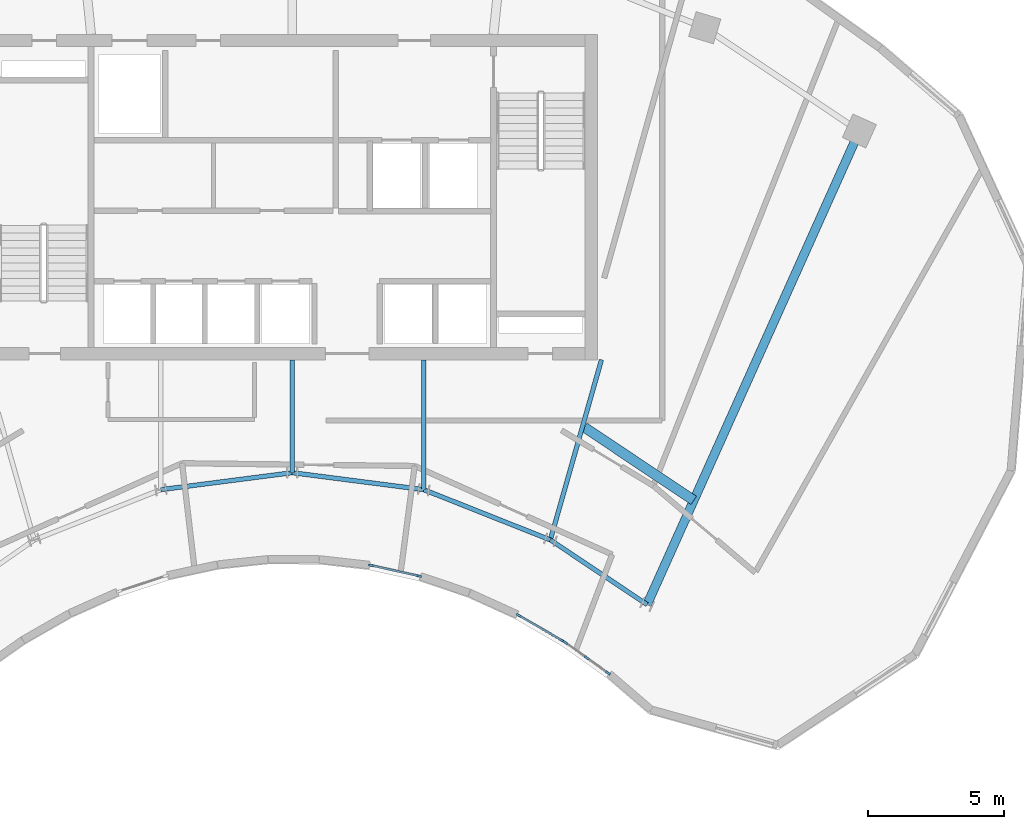
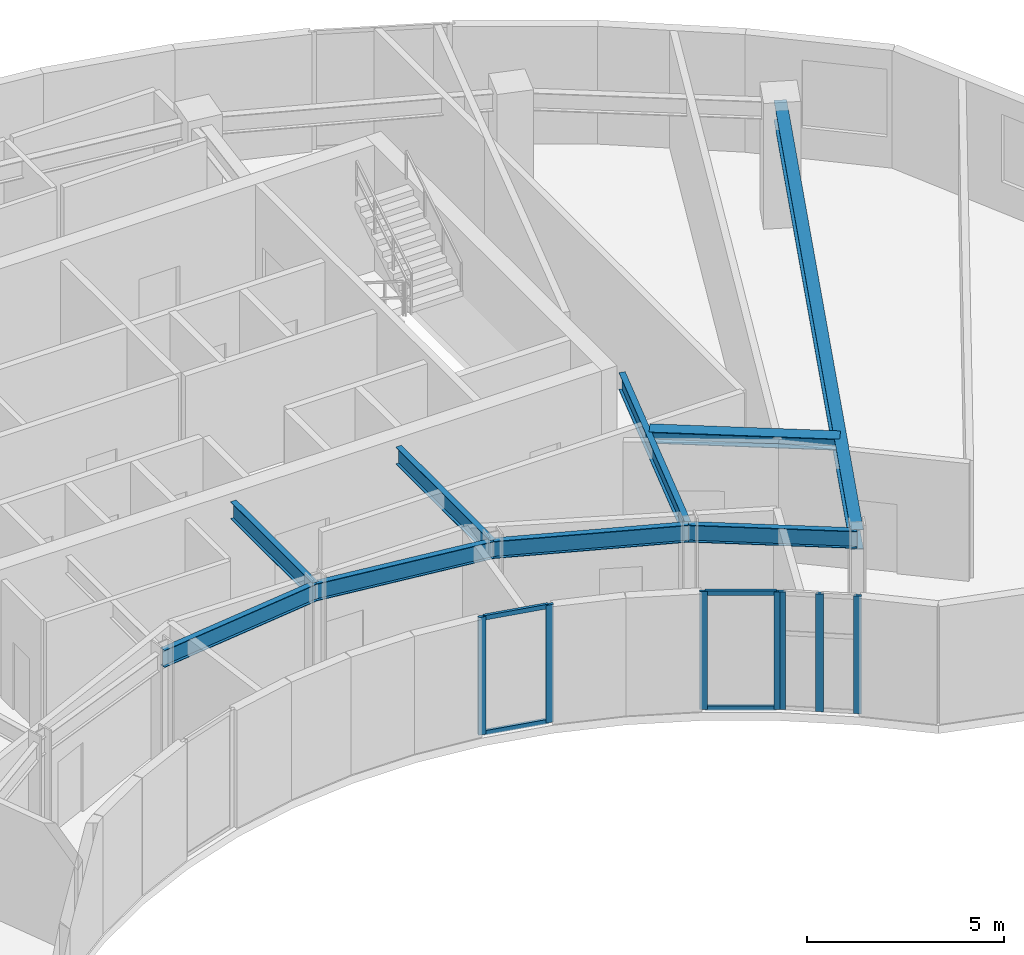
# One storey, part 3 of 12: 11 members, 9 beams, 3 elements without a shape of their own.
"""IFC4 building model written with IfcOpenShell, lengths in metres."""

from ifc_helpers import new_model, si_unit, direction, frame, origin, origin_2d, place, context, subcontext, project, spatial, rectangle, i_section, extrude, source, transform, mapped, material, layer, layer_set, material_profile, profile_set, type_object, type_shapes, element, aggregate, save


model = new_model("IFC4")

# Units and contexts
model_context = context("Model", 3, precision=1e-05, world=origin(), true_north=direction((0.0, 1.0)))
body_context = subcontext(model_context, "Body", "Model", "MODEL_VIEW")
ifc_project = project(units=[si_unit("LENGTHUNIT", "METRE"), si_unit("AREAUNIT", "SQUARE_METRE"), si_unit("VOLUMEUNIT", "CUBIC_METRE"), si_unit("PLANEANGLEUNIT", "RADIAN"), si_unit("MASSUNIT", "GRAM", prefix="KILO")], contexts=[model_context])

# Site, building, storey
site_placement = place(None, origin())
site = spatial("IfcSite", under=ifc_project, at=site_placement, CompositionType="ELEMENT")
building_placement = place(site_placement, origin())
building = spatial("IfcBuilding", under=site, at=building_placement, Name="Breltana Convention Tower", CompositionType="ELEMENT")
storey_placement = place(building_placement, frame((0.0, 0.0, 246.89990234375)))
storey = spatial("IfcBuildingStorey", under=building, at=storey_placement, Name="L60", CompositionType="ELEMENT", Elevation=246.89990234375)

# Beams
ifc_material_1 = material(Name="Steel ASTM A992 Grade 50", Category="steel")
ifc_material_profile_1 = material_profile(ifc_material_1, i_section(OverallWidth=0.166015625, OverallDepth=0.534912109375, WebThickness=0.01025390625, FlangeThickness=0.0166015625, at=origin_2d()), Name="W21X57")
ifc_profile_set_1 = profile_set([ifc_material_profile_1], Name="Steel ASTM A992 Grade 50")
beam_type_1 = type_object("IfcBeamType", Name="BM-BM-W21X57", PredefinedType="BEAM", material=ifc_profile_set_1)
shared_shape_1 = source(origin(), body_context, "Body", "SweptSolid", [
    extrude(i_section(OverallWidth=0.166015625, OverallDepth=0.534912109375, WebThickness=0.01025390625, FlangeThickness=0.0166015625, at=origin_2d()), origin(), (0.0, 0.0, 1.0), 6.904541015625),
])
type_shapes(beam_type_1, [shared_shape_1])
beam_1_placement = place(storey_placement, frame((59.39990234375, 60.199951171875, 3.382568359375), z_axis=(-0.273006781054, -0.962012108811, 0.0), x_axis=(0.962012108811, -0.273006781054, 0.0)))
element("IfcBeam", 1, at=beam_1_placement, inside=storey, type_object=beam_type_1, Name="L60 South Core Tie Girder R08", PredefinedType="BEAM", context=body_context, shape_type="MappedRepresentation", body=[
    mapped(shared_shape_1, transform((0.0, 0.0, 0.0), scale=1.0)),
])
shared_shape_2 = source(origin(), body_context, "Body", "SweptSolid", [
    extrude(i_section(OverallWidth=0.166015625, OverallDepth=0.534912109375, WebThickness=0.01025390625, FlangeThickness=0.0166015625, at=origin_2d()), origin(), (0.0, 0.0, 1.0), 4.789306640625),
])
beam_2_placement = place(storey_placement, frame((52.846435546875, 60.199951171875, 3.382568359375), z_axis=(0.0, -1.0, 0.0), x_axis=(1.0, 0.0, 0.0)))
element("IfcBeam", 2, at=beam_2_placement, inside=storey, type_object=beam_type_1, Name="L60 South Core Tie Girder R07", PredefinedType="BEAM", context=body_context, shape_type="MappedRepresentation", body=[
    mapped(shared_shape_2, transform((0.0, 0.0, 0.0), scale=1.0)),
])
shared_shape_3 = source(origin(), body_context, "Body", "SweptSolid", [
    extrude(i_section(OverallWidth=0.166015625, OverallDepth=0.534912109375, WebThickness=0.01025390625, FlangeThickness=0.0166015625, at=origin_2d()), origin(), (0.0, 0.0, 1.0), 4.1640625),
])
beam_3_placement = place(storey_placement, frame((48.0, 60.199951171875, 3.382568359375), z_axis=(0.0, -1.0, 0.0), x_axis=(1.0, 0.0, 0.0)))
element("IfcBeam", 3, at=beam_3_placement, inside=storey, type_object=beam_type_1, Name="L60 South Core Tie Girder R06", PredefinedType="BEAM", context=body_context, shape_type="MappedRepresentation", body=[
    mapped(shared_shape_3, transform((0.0, 0.0, 0.0), scale=1.0)),
])
shared_shape_4 = source(origin(), body_context, "Body", "SweptSolid", [
    extrude(i_section(OverallWidth=0.166015625, OverallDepth=0.534912109375, WebThickness=0.01025390625, FlangeThickness=0.0166015625, at=origin_2d()), origin(), (0.0, 0.0, 1.0), 5.022705078125),
])
beam_4_placement = place(storey_placement, frame((52.846435546875, 55.41064453125, 3.382568359375), z_axis=(0.929458966248, -0.368925507469, 0.0), x_axis=(0.368925507469, 0.929458966248, 0.0)))
element("IfcBeam", 4, at=beam_4_placement, inside=storey, type_object=beam_type_1, Name="L60 Inner Ring Beam 07", PredefinedType="BEAM", context=body_context, shape_type="MappedRepresentation", body=[
    mapped(shared_shape_4, transform((0.0, 0.0, 0.0), scale=1.0)),
])
shared_shape_5 = source(origin(), body_context, "Body", "SweptSolid", [
    extrude(i_section(OverallWidth=0.166015625, OverallDepth=0.534912109375, WebThickness=0.01025390625, FlangeThickness=0.0166015625, at=origin_2d()), origin(), (0.0, 0.0, 1.0), 4.88671875),
])
for number, where, z_axis, x_axis, name in (
    (5, (43.153564453125, 55.41064453125, 3.382568359375), (0.991780525565, 0.127950729231, 0.0), (-0.127950729231, 0.991780525565, 0.0), "L60 Inner Ring Beam 05"),
    (6, (48.0, 56.035888671875, 3.382568359375), (0.991780525565, -0.127950729231, 0.0), (0.127950729231, 0.991780525565, 0.0), "L60 Inner Ring Beam 06"),
):
    element("IfcBeam", number, at=place(storey_placement, frame(where, z_axis=z_axis, x_axis=x_axis)), inside=storey, type_object=beam_type_1, Name=name, PredefinedType="BEAM", context=body_context, shape_type="MappedRepresentation", body=[
        mapped(shared_shape_5, transform((0.0, 0.0, 0.0), scale=1.0)),
    ])
shared_shape_6 = source(origin(), body_context, "Body", "SweptSolid", [
    extrude(i_section(OverallWidth=0.166015625, OverallDepth=0.534912109375, WebThickness=0.01025390625, FlangeThickness=0.0166015625, at=origin_2d()), origin(), (0.0, 0.0, 1.0), 4.2900390625),
])
beam_5_placement = place(storey_placement, frame((57.514892578125, 53.5576171875, 3.382568359375), z_axis=(0.831515827753, -0.555501060482, 0.0), x_axis=(0.555501060482, 0.831515827753, 0.0)))
element("IfcBeam", 7, at=beam_5_placement, inside=storey, type_object=beam_type_1, Name="L60 Inner Ring Beam 08", PredefinedType="BEAM", context=body_context, shape_type="MappedRepresentation", body=[
    mapped(shared_shape_6, transform((0.0, 0.0, 0.0), scale=1.0)),
])
ifc_material_profile_2 = material_profile(ifc_material_1, i_section(OverallWidth=0.368896484375, OverallDepth=0.35595703125, WebThickness=0.01123046875, FlangeThickness=0.01806640625, at=origin_2d()), Name="W14X90")
ifc_profile_set_2 = profile_set([ifc_material_profile_2], Name="Steel ASTM A992 Grade 50")
beam_type_2 = type_object("IfcBeamType", Name="BM-JSG-09", PredefinedType="JOIST", material=ifc_profile_set_2)
shared_shape_7 = source(origin(), body_context, "Body", "SweptSolid", [
    extrude(i_section(OverallWidth=0.368896484375, OverallDepth=0.35595703125, WebThickness=0.01123046875, FlangeThickness=0.01806640625, at=origin_2d()), origin(), (0.0, 0.0, 1.0), 4.854736328125),
])
beam_6_placement = place(storey_placement, frame((58.767578125, 57.71240234375, 3.47216796875), z_axis=(0.831485074305, -0.555547091801, 0.0), x_axis=(0.555547091801, 0.831485074305, 0.0)))
element("IfcBeam", 8, at=beam_6_placement, inside=storey, type_object=beam_type_2, Name="L60 Composite Floor Joist 08.1", PredefinedType="JOIST", context=body_context, shape_type="MappedRepresentation", body=[
    mapped(shared_shape_7, transform((0.0, 0.0, 0.0), scale=1.0)),
])
ifc_material_profile_3 = material_profile(ifc_material_1, i_section(OverallWidth=0.326904296875, OverallDepth=0.6220703125, WebThickness=0.015380859375, FlangeThickness=0.0244140625, at=origin_2d()), Name="W24X131")
ifc_profile_set_3 = profile_set([ifc_material_profile_3], Name="Steel ASTM A992 Grade 50")
beam_type_3 = type_object("IfcBeamType", Name="BM-RG-W24X131", PredefinedType="USERDEFINED", material=ifc_profile_set_3)
shared_shape_8 = source(origin(), body_context, "Body", "SweptSolid", [
    extrude(i_section(OverallWidth=0.326904296875, OverallDepth=0.6220703125, WebThickness=0.015380859375, FlangeThickness=0.0244140625, at=origin_2d()), origin(), (0.0, 0.0, 1.0), 19.133544921875),
])
beam_7_placement = place(storey_placement, frame((61.08203125, 51.174560546875, 3.339111328125), z_axis=(0.409144564164, 0.912469575172, 0.0), x_axis=(-0.912469575172, 0.409144564164, 0.0)))
element("IfcBeam", 9, at=beam_7_placement, inside=storey, type_object=beam_type_3, Name="L60 Radial Floor Girder R09", ObjectType="GIRDER", PredefinedType="USERDEFINED", context=body_context, shape_type="MappedRepresentation", body=[
    mapped(shared_shape_8, transform((0.0, 0.0, 0.0), scale=1.0)),
])

# Curtain wall, members
ifc_material_2 = material(Name="Aluminium Anodised Bronze Frame", Category="aluminium")
ifc_layer = layer(ifc_material_2, 0.18994140625, Name="Aluminium Anodised Bronze Frame")
ifc_layer_set = layer_set([ifc_layer], Name="Aluminium Anodised Bronze Frame")
curtain_wall_type = type_object("IfcCurtainWallType", Name="CW-SYS-1", PredefinedType="NOTDEFINED", material=ifc_layer_set)
curtain_wall_1_placement = place(storey_placement, origin())
curtain_wall_1 = element("IfcCurtainWall", 10, at=curtain_wall_1_placement, inside=storey, type_object=curtain_wall_type, Name="L60 inner south-court glazing 1", PredefinedType="NOTDEFINED")
ifc_material_3 = material(Name="Aluminium Anodised Bronze", Category="aluminium")
ifc_material_profile_4 = material_profile(ifc_material_3, rectangle(XDim=0.080078125, YDim=0.199951171875, at=origin_2d()), Name="CWM-80X200")
ifc_profile_set_4 = profile_set([ifc_material_profile_4], Name="Aluminium Anodised Bronze")
member_type_1 = type_object("IfcMemberType", Name="CWM-200", PredefinedType="MULLION", material=ifc_profile_set_4)
shared_shape_9 = source(origin(), body_context, "Body", "SweptSolid", [
    extrude(rectangle(XDim=0.080078125, YDim=0.199951171875, at=origin_2d()), origin(), (0.0, 0.0, 1.0), 3.650146484375),
])
member_1_placement = place(storey_placement, frame((59.642822265625, 48.650390625, 0.0), z_axis=(0.0, 0.0, 1.0), x_axis=(-0.580679280365, -0.814132405297, 0.0)))
member_1 = element("IfcMember", 11, at=member_1_placement, type_object=member_type_1, Name="CW-01 mullion 1", PredefinedType="MULLION", context=body_context, shape_type="MappedRepresentation", body=[
    mapped(shared_shape_9, transform((0.0, 0.0, 0.0), scale=1.0)),
])
member_2_placement = place(storey_placement, frame((58.85546875, 49.2119140625, 0.0), z_axis=(0.0, 0.0, 1.0), x_axis=(-0.580679280365, -0.814132405297, 0.0)))
member_2 = element("IfcMember", 12, at=member_2_placement, type_object=member_type_1, Name="CW-01 mullion 2", PredefinedType="MULLION", context=body_context, shape_type="MappedRepresentation", body=[
    mapped(shared_shape_9, transform((0.0, 0.0, 0.0), scale=1.0)),
])
member_3_placement = place(storey_placement, frame((58.06787109375, 49.773681640625, 0.0), z_axis=(0.0, 0.0, 1.0), x_axis=(-0.580679280365, -0.814132405297, 0.0)))
member_3 = element("IfcMember", 13, at=member_3_placement, type_object=member_type_1, Name="CW-01 mullion 3", PredefinedType="MULLION", context=body_context, shape_type="MappedRepresentation", body=[
    mapped(shared_shape_9, transform((0.0, 0.0, 0.0), scale=1.0)),
])
aggregate(curtain_wall_1, [member_1, member_2, member_3])

curtain_wall_2_placement = place(storey_placement, origin())
curtain_wall_2 = element("IfcCurtainWall", 14, at=curtain_wall_2_placement, inside=storey, type_object=curtain_wall_type, Name="L60 inner south-court glazing 2", PredefinedType="NOTDEFINED")
member_4_placement = place(storey_placement, frame((57.986328125, 49.826171875, 0.0), z_axis=(0.0, 0.0, 1.0), x_axis=(-0.501190266215, -0.865337111796, 0.0)))
member_4 = element("IfcMember", 15, at=member_4_placement, type_object=member_type_1, Name="CW-01 mullion 1", PredefinedType="MULLION", context=body_context, shape_type="MappedRepresentation", body=[
    mapped(shared_shape_9, transform((0.0, 0.0, 0.0), scale=1.0)),
])
member_5_placement = place(storey_placement, frame((56.35009765625, 50.77392578125, 0.0), z_axis=(0.0, 0.0, 1.0), x_axis=(-0.501190266215, -0.865337111796, 0.0)))
member_5 = element("IfcMember", 16, at=member_5_placement, type_object=member_type_1, Name="CW-01 mullion 2", PredefinedType="MULLION", context=body_context, shape_type="MappedRepresentation", body=[
    mapped(shared_shape_9, transform((0.0, 0.0, 0.0), scale=1.0)),
])

curtain_wall_3_placement = place(storey_placement, origin())
curtain_wall_3 = element("IfcCurtainWall", 17, at=curtain_wall_3_placement, inside=storey, type_object=curtain_wall_type, Name="L60 inner south-court glazing 3", PredefinedType="NOTDEFINED")
member_6_placement = place(storey_placement, frame((52.66357421875, 52.227294921875, 0.0), z_axis=(0.0, 0.0, 1.0), x_axis=(-0.217127816671, -0.976143181725, 0.0)))
member_6 = element("IfcMember", 18, at=member_6_placement, type_object=member_type_1, Name="CW-01 mullion 1", PredefinedType="MULLION", context=body_context, shape_type="MappedRepresentation", body=[
    mapped(shared_shape_9, transform((0.0, 0.0, 0.0), scale=1.0)),
])
member_7_placement = place(storey_placement, frame((50.90869140625, 52.61767578125, 0.0), z_axis=(0.0, 0.0, 1.0), x_axis=(-0.217127816671, -0.976143181725, 0.0)))
member_7 = element("IfcMember", 19, at=member_7_placement, type_object=member_type_1, Name="CW-01 mullion 2", PredefinedType="MULLION", context=body_context, shape_type="MappedRepresentation", body=[
    mapped(shared_shape_9, transform((0.0, 0.0, 0.0), scale=1.0)),
])

# Member
ifc_material_profile_5 = material_profile(ifc_material_3, rectangle(XDim=0.080078125, YDim=0.139892578125, at=origin_2d()), Name="CWT-80X140")
ifc_profile_set_5 = profile_set([ifc_material_profile_5], Name="Aluminium Anodised Bronze")
member_type_2 = type_object("IfcMemberType", Name="CWT-140", PredefinedType="USERDEFINED", material=ifc_profile_set_5)
shared_shape_10 = source(origin(), body_context, "Body", "SweptSolid", [
    extrude(rectangle(XDim=0.080078125, YDim=0.139892578125, at=origin_2d()), origin(), (0.0, 0.0, 1.0), 1.810791015625),
])
member_8_placement = place(storey_placement, frame((57.95166015625, 49.84619140625, 0.0400390625), z_axis=(-0.865290871949, 0.501270093784, 0.0), x_axis=(-0.501270093784, -0.865290871949, 0.0)))
member_8 = element("IfcMember", 20, at=member_8_placement, type_object=member_type_2, Name="CW-01 transom 1.1", ObjectType="TRANSOM", PredefinedType="USERDEFINED", context=body_context, shape_type="MappedRepresentation", body=[
    mapped(shared_shape_10, transform((0.0, 0.0, 0.0), scale=1.0)),
])

member_9_placement = place(storey_placement, frame((57.95166015625, 49.84619140625, 3.610107421875), z_axis=(-0.865290871949, 0.501270093784, 0.0), x_axis=(-0.501270093784, -0.865290871949, 0.0)))
member_9 = element("IfcMember", 21, at=member_9_placement, type_object=member_type_2, Name="CW-01 transom 1.2", ObjectType="TRANSOM", PredefinedType="USERDEFINED", context=body_context, shape_type="MappedRepresentation", body=[
    mapped(shared_shape_10, transform((0.0, 0.0, 0.0), scale=1.0)),
])

aggregate(curtain_wall_2, [member_4, member_5, member_8, member_9])

shared_shape_11 = source(origin(), body_context, "Body", "SweptSolid", [
    extrude(rectangle(XDim=0.080078125, YDim=0.139892578125, at=origin_2d()), origin(), (0.0, 0.0, 1.0), 1.7177734375),
])
member_10_placement = place(storey_placement, frame((52.62451171875, 52.236083984375, 0.0400390625), z_axis=(-0.976133523564, 0.217171232383, 0.0), x_axis=(-0.217171232383, -0.976133523564, 0.0)))
member_10 = element("IfcMember", 22, at=member_10_placement, type_object=member_type_2, Name="CW-01 transom 1.1", ObjectType="TRANSOM", PredefinedType="USERDEFINED", context=body_context, shape_type="MappedRepresentation", body=[
    mapped(shared_shape_11, transform((0.0, 0.0, 0.0), scale=1.0)),
])

member_11_placement = place(storey_placement, frame((52.62451171875, 52.236083984375, 3.610107421875), z_axis=(-0.976133523564, 0.217171232383, 0.0), x_axis=(-0.217171232383, -0.976133523564, 0.0)))
member_11 = element("IfcMember", 23, at=member_11_placement, type_object=member_type_2, Name="CW-01 transom 1.2", ObjectType="TRANSOM", PredefinedType="USERDEFINED", context=body_context, shape_type="MappedRepresentation", body=[
    mapped(shared_shape_11, transform((0.0, 0.0, 0.0), scale=1.0)),
])

aggregate(curtain_wall_3, [member_6, member_7, member_10, member_11])

save(model, "model.ifc")
